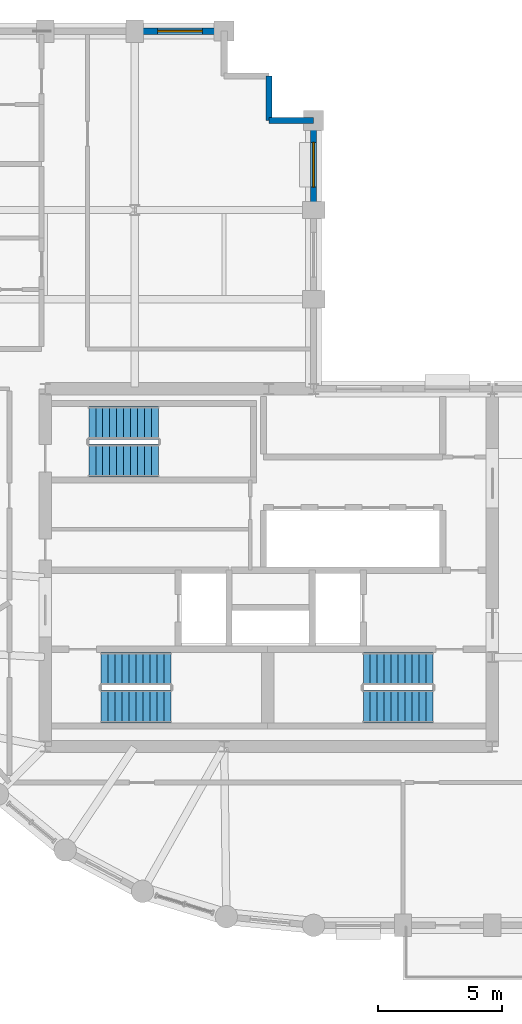
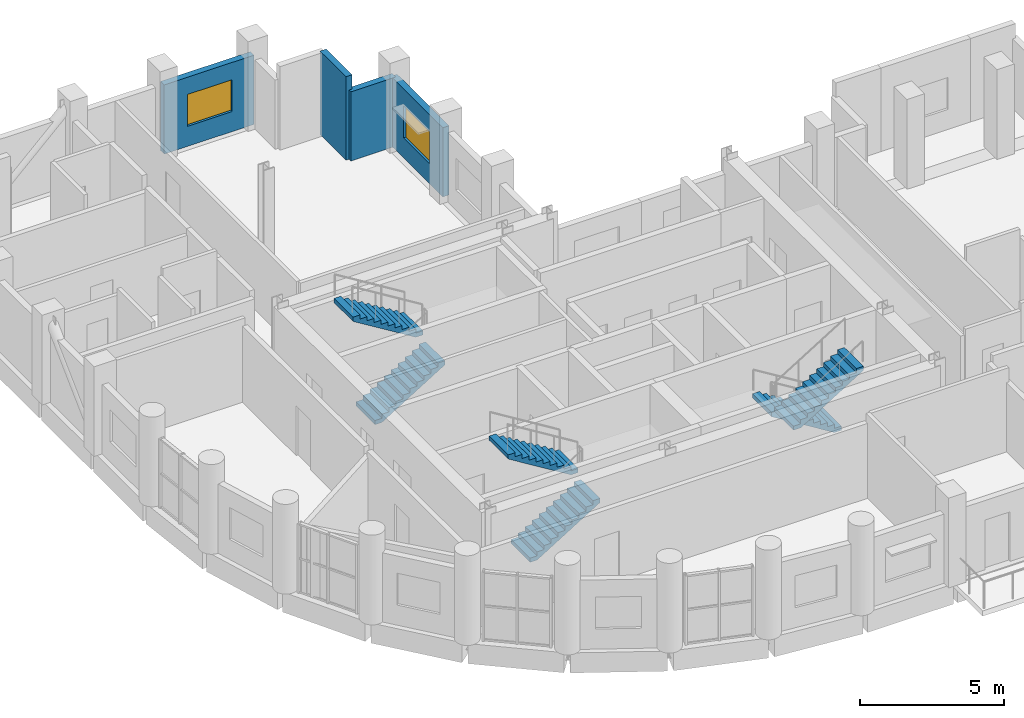
# One storey, part 10 of 12: 6 stair flights, 4 walls, 2 windows, 2 openings, 3 elements without a shape of their own.
"""IFC4 building model written with IfcOpenShell, lengths in metres."""

from ifc_helpers import new_model, si_unit, direction, frame, frame_2d, origin, place, context, subcontext, project, spatial, polyline, rectangle, outline, extrude, material, layer, layer_set, type_object, element, fill, aggregate, save


model = new_model("IFC4")

# Units and contexts
model_context = context("Model", 3, precision=1e-05, world=origin(), true_north=direction((0.0, 1.0)))
body_context = subcontext(model_context, "Body", "Model", "MODEL_VIEW")
ifc_project = project(units=[si_unit("LENGTHUNIT", "METRE"), si_unit("AREAUNIT", "SQUARE_METRE"), si_unit("VOLUMEUNIT", "CUBIC_METRE"), si_unit("PLANEANGLEUNIT", "RADIAN"), si_unit("MASSUNIT", "GRAM", prefix="KILO")], contexts=[model_context])

# Site, building, storey
site_placement = place(None, origin())
site = spatial("IfcSite", under=ifc_project, at=site_placement, CompositionType="ELEMENT")
building_placement = place(site_placement, origin())
building = spatial("IfcBuilding", under=site, at=building_placement, Name="Solnavia Interchange Tower", CompositionType="ELEMENT")
storey_placement = place(building_placement, frame((0.0, 0.0, 182.39990234375)))
storey = spatial("IfcBuildingStorey", under=building, at=storey_placement, Name="L45", CompositionType="ELEMENT", Elevation=182.39990234375)

# Wall, opening, window
ifc_material_1 = material(Name="Concrete C40/50", Category="concrete")
ifc_layer = layer(ifc_material_1, 0.25)
ifc_layer_set = layer_set([ifc_layer], Name="Concrete C40/50")
wall_type = type_object("IfcWallType", Name="Wall-ExtSpandrel-250", PredefinedType="STANDARD", material=ifc_layer_set)
wall_1_placement = place(storey_placement, frame((25.199951171875, 32.39990234375, 0.0), z_axis=(0.0, 0.0, 1.0), x_axis=(0.0, 1.0, 0.0)))
wall_1 = element("IfcWall", 1, at=wall_1_placement, inside=storey, type_object=wall_type, Name="EXW-L45-31 Exterior precast spandrel wall", PredefinedType="STANDARD", context=body_context, shape_type="SweptSolid", body=[
    extrude(rectangle(XDim=3.60009765625, YDim=0.25, at=frame_2d((1.800048828125, 0.0))), origin(), (0.0, 0.0, 1.0), 2.93017578125),
])
opening_1_placement = place(wall_1_placement, frame((0.925048828125, 0.0, 0.85009765625)))
opening_1 = element("IfcOpeningElement", 2, at=opening_1_placement, cuts=wall_1, Name="Opening WIN-02", PredefinedType="OPENING", context=body_context, shape_type="SweptSolid", body=[
    extrude(rectangle(XDim=1.800048828125, YDim=1.35009765625, at=frame_2d((0.89990234375, 0.675048828125))), frame((0.0, 0.135009765625, 0.0), z_axis=(0.0, -1.0, 0.0), x_axis=(1.0, 0.0, 0.0)), (0.0, 0.0, 1.0), 0.27001953125),
])
ifc_material_2 = material(Name="Thermal-Break Aluminium & Low-E Glass", Category="aluminium")
window_type = type_object("IfcWindowType", Name="Window-Ribbon-1800x1350", PartitioningType="SINGLE_PANEL", PredefinedType="WINDOW", material=ifc_material_2)
window_1_placement = place(opening_1_placement, origin())
window_1 = element("IfcWindow", 3, at=window_1_placement, inside=storey, type_object=window_type, Name="WIN-L45-31 Facade ribbon window", OverallHeight=1.35009765625, OverallWidth=1.800048828125, PartitioningType="SINGLE_PANEL", PredefinedType="WINDOW", context=body_context, shape_type="SweptSolid", body=[
    extrude(rectangle(XDim=1.800048828125, YDim=1.35009765625, at=frame_2d((0.89990234375, 0.675048828125))), frame((0.0, 0.030029296875, 0.0), z_axis=(0.0, -1.0, 0.0), x_axis=(1.0, 0.0, 0.0)), (0.0, 0.0, 1.0), 0.06005859375),
])
fill(opening_1, window_1)

# Walls
wall_2_placement = place(storey_placement, frame((23.39990234375, 36.0, 0.0), z_axis=(0.0, 0.0, 1.0), x_axis=(1.0, 0.0, 0.0)))
element("IfcWall", 4, at=wall_2_placement, inside=storey, type_object=wall_type, Name="EXW-L45-32 Exterior precast spandrel wall", PredefinedType="STANDARD", context=body_context, shape_type="SweptSolid", body=[
    extrude(rectangle(XDim=1.800048828125, YDim=0.25, at=frame_2d((0.89990234375, 0.0))), origin(), (0.0, 0.0, 1.0), 2.93017578125),
])
wall_3_placement = place(storey_placement, frame((23.39990234375, 36.0, 0.0), z_axis=(0.0, 0.0, 1.0), x_axis=(0.0, 1.0, 0.0)))
element("IfcWall", 5, at=wall_3_placement, inside=storey, type_object=wall_type, Name="EXW-L45-33 Exterior precast spandrel wall", PredefinedType="STANDARD", context=body_context, shape_type="SweptSolid", body=[
    extrude(rectangle(XDim=1.800048828125, YDim=0.25, at=frame_2d((0.89990234375, 0.0))), origin(), (0.0, 0.0, 1.0), 3.53515625),
])

# Wall, opening, window
wall_4_placement = place(storey_placement, frame((18.0, 39.60009765625, 0.0), z_axis=(0.0, 0.0, 1.0), x_axis=(1.0, 0.0, 0.0)))
wall_4 = element("IfcWall", 6, at=wall_4_placement, inside=storey, type_object=wall_type, Name="EXW-L45-36 Exterior precast spandrel wall", PredefinedType="STANDARD", context=body_context, shape_type="SweptSolid", body=[
    extrude(rectangle(XDim=3.60009765625, YDim=0.25, at=frame_2d((1.800048828125, 0.0))), origin(), (0.0, 0.0, 1.0), 2.93017578125),
])
opening_2_placement = place(wall_4_placement, frame((0.925048828125, 0.0, 0.85009765625)))
opening_2 = element("IfcOpeningElement", 7, at=opening_2_placement, cuts=wall_4, Name="Opening WIN-02", PredefinedType="OPENING", context=body_context, shape_type="SweptSolid", body=[
    extrude(rectangle(XDim=1.800048828125, YDim=1.35009765625, at=frame_2d((0.89990234375, 0.675048828125))), frame((0.0, 0.135009765625, 0.0), z_axis=(0.0, -1.0, 0.0), x_axis=(1.0, 0.0, 0.0)), (0.0, 0.0, 1.0), 0.27001953125),
])
window_2_placement = place(opening_2_placement, origin())
window_2 = element("IfcWindow", 8, at=window_2_placement, inside=storey, type_object=window_type, Name="WIN-L45-36 Facade ribbon window", OverallHeight=1.35009765625, OverallWidth=1.800048828125, PartitioningType="SINGLE_PANEL", PredefinedType="WINDOW", context=body_context, shape_type="SweptSolid", body=[
    extrude(rectangle(XDim=1.800048828125, YDim=1.35009765625, at=frame_2d((0.89990234375, 0.675048828125))), frame((0.0, 0.030029296875, 0.0), z_axis=(0.0, -1.0, 0.0), x_axis=(1.0, 0.0, 0.0)), (0.0, 0.0, 1.0), 0.06005859375),
])
fill(opening_2, window_2)

# Stair, stair flights
stair_type = type_object("IfcStairType", Name="Stair-Dogleg-RC", PredefinedType="HALF_TURN_STAIR", material=ifc_material_1)
stair_1_placement = place(storey_placement, origin())
stair_1 = element("IfcStair", 9, at=stair_1_placement, inside=storey, type_object=stair_type, Name="L45 Core exit stair 1", PredefinedType="HALF_TURN_STAIR")
stair_flight_type = type_object("IfcStairFlightType", Name="StairFlight-RC-150", PredefinedType="STRAIGHT", material=ifc_material_1)
stair_flight_1_placement = place(storey_placement, frame((16.64990234375, 12.409912109375, 0.0), z_axis=(0.0, 0.0, 1.0), x_axis=(1.0, 0.0, 0.0)))
stair_flight_1 = element("IfcStairFlight", 10, at=stair_flight_1_placement, type_object=stair_flight_type, Name="ST-1 flight 1", NumberOfRisers=11, NumberOfTreads=10, PredefinedType="STRAIGHT", RiserHeight=0.172727273, TreadLength=0.28, context=body_context, shape_type="SweptSolid", body=[
    extrude(outline(polyline([(0.0, 0.0), (0.0, 0.172607421875), (0.280029296875, 0.172607421875), (0.280029296875, 0.345458984375), (0.56005859375, 0.345458984375), (0.56005859375, 0.51806640625), (0.840087890625, 0.51806640625), (0.840087890625, 0.69091796875), (1.1201171875, 0.69091796875), (1.1201171875, 0.863525390625), (1.39990234375, 0.863525390625), (1.39990234375, 1.036376953125), (1.679931640625, 1.036376953125), (1.679931640625, 1.208984375), (1.9599609375, 1.208984375), (1.9599609375, 1.3818359375), (2.239990234375, 1.3818359375), (2.239990234375, 1.554443359375), (2.52001953125, 1.554443359375), (2.52001953125, 1.727294921875), (2.800048828125, 1.727294921875), (2.800048828125, 1.89990234375), (2.800048828125, 1.551025390625), (0.285400390625, 0.0), (0.0, 0.0)])), frame((0.0, 0.66015625, 0.0), z_axis=(0.0, -1.0, 0.0), x_axis=(1.0, 0.0, 0.0)), (0.0, 0.0, 1.0), 1.320068359375),
])
stair_flight_2_placement = place(storey_placement, frame((19.449951171875, 13.929931640625, 1.900146484375), z_axis=(0.0, 0.0, 1.0), x_axis=(-1.0, 0.0, 0.0)))
stair_flight_2 = element("IfcStairFlight", 11, at=stair_flight_2_placement, type_object=stair_flight_type, Name="ST-1 flight 2", NumberOfRisers=11, NumberOfTreads=10, PredefinedType="STRAIGHT", RiserHeight=0.172727273, TreadLength=0.28, context=body_context, shape_type="SweptSolid", body=[
    extrude(outline(polyline([(0.0, 0.0), (0.0, 0.172607421875), (0.280029296875, 0.172607421875), (0.280029296875, 0.345458984375), (0.56005859375, 0.345458984375), (0.56005859375, 0.51806640625), (0.840087890625, 0.51806640625), (0.840087890625, 0.69091796875), (1.1201171875, 0.69091796875), (1.1201171875, 0.863525390625), (1.39990234375, 0.863525390625), (1.39990234375, 1.036376953125), (1.679931640625, 1.036376953125), (1.679931640625, 1.208984375), (1.9599609375, 1.208984375), (1.9599609375, 1.3818359375), (2.239990234375, 1.3818359375), (2.239990234375, 1.554443359375), (2.52001953125, 1.554443359375), (2.52001953125, 1.727294921875), (2.800048828125, 1.727294921875), (2.800048828125, 1.89990234375), (2.800048828125, 1.551025390625), (0.285400390625, 0.0), (0.0, 0.0)])), frame((0.0, 0.66015625, 0.0), z_axis=(0.0, -1.0, 0.0), x_axis=(1.0, 0.0, 0.0)), (0.0, 0.0, 1.0), 1.320068359375),
])
aggregate(stair_1, [stair_flight_1, stair_flight_2])

stair_2_placement = place(storey_placement, origin())
stair_2 = element("IfcStair", 12, at=stair_2_placement, inside=storey, type_object=stair_type, Name="L45 Core exit stair 2", PredefinedType="HALF_TURN_STAIR")
stair_flight_3_placement = place(storey_placement, frame((30.0, 13.929931640625, 0.0), z_axis=(0.0, 0.0, 1.0), x_axis=(-1.0, 0.0, 0.0)))
stair_flight_3 = element("IfcStairFlight", 13, at=stair_flight_3_placement, type_object=stair_flight_type, Name="ST-2 flight 1", NumberOfRisers=11, NumberOfTreads=10, PredefinedType="STRAIGHT", RiserHeight=0.172727273, TreadLength=0.28, context=body_context, shape_type="SweptSolid", body=[
    extrude(outline(polyline([(0.0, 0.0), (0.0, 0.172607421875), (0.280029296875, 0.172607421875), (0.280029296875, 0.345458984375), (0.56005859375, 0.345458984375), (0.56005859375, 0.51806640625), (0.840087890625, 0.51806640625), (0.840087890625, 0.69091796875), (1.1201171875, 0.69091796875), (1.1201171875, 0.863525390625), (1.39990234375, 0.863525390625), (1.39990234375, 1.036376953125), (1.679931640625, 1.036376953125), (1.679931640625, 1.208984375), (1.9599609375, 1.208984375), (1.9599609375, 1.3818359375), (2.239990234375, 1.3818359375), (2.239990234375, 1.554443359375), (2.52001953125, 1.554443359375), (2.52001953125, 1.727294921875), (2.800048828125, 1.727294921875), (2.800048828125, 1.89990234375), (2.800048828125, 1.551025390625), (0.285400390625, 0.0), (0.0, 0.0)])), frame((0.0, 0.66015625, 0.0), z_axis=(0.0, -1.0, 0.0), x_axis=(1.0, 0.0, 0.0)), (0.0, 0.0, 1.0), 1.320068359375),
])
stair_flight_4_placement = place(storey_placement, frame((27.199951171875, 12.409912109375, 1.900146484375), z_axis=(0.0, 0.0, 1.0), x_axis=(1.0, 0.0, 0.0)))
stair_flight_4 = element("IfcStairFlight", 14, at=stair_flight_4_placement, type_object=stair_flight_type, Name="ST-2 flight 2", NumberOfRisers=11, NumberOfTreads=10, PredefinedType="STRAIGHT", RiserHeight=0.172727273, TreadLength=0.28, context=body_context, shape_type="SweptSolid", body=[
    extrude(outline(polyline([(0.0, 0.0), (0.0, 0.172607421875), (0.280029296875, 0.172607421875), (0.280029296875, 0.345458984375), (0.56005859375, 0.345458984375), (0.56005859375, 0.51806640625), (0.840087890625, 0.51806640625), (0.840087890625, 0.69091796875), (1.1201171875, 0.69091796875), (1.1201171875, 0.863525390625), (1.39990234375, 0.863525390625), (1.39990234375, 1.036376953125), (1.679931640625, 1.036376953125), (1.679931640625, 1.208984375), (1.9599609375, 1.208984375), (1.9599609375, 1.3818359375), (2.239990234375, 1.3818359375), (2.239990234375, 1.554443359375), (2.52001953125, 1.554443359375), (2.52001953125, 1.727294921875), (2.800048828125, 1.727294921875), (2.800048828125, 1.89990234375), (2.800048828125, 1.551025390625), (0.285400390625, 0.0), (0.0, 0.0)])), frame((0.0, 0.66015625, 0.0), z_axis=(0.0, -1.0, 0.0), x_axis=(1.0, 0.0, 0.0)), (0.0, 0.0, 1.0), 1.320068359375),
])
aggregate(stair_2, [stair_flight_3, stair_flight_4])

stair_3_placement = place(storey_placement, origin())
stair_3 = element("IfcStair", 15, at=stair_3_placement, inside=storey, type_object=stair_type, Name="L45 Core exit stair 3", PredefinedType="HALF_TURN_STAIR")
stair_flight_5_placement = place(storey_placement, frame((16.14990234375, 22.31005859375, 0.0), z_axis=(0.0, 0.0, 1.0), x_axis=(1.0, 0.0, 0.0)))
stair_flight_5 = element("IfcStairFlight", 16, at=stair_flight_5_placement, type_object=stair_flight_type, Name="ST-3 flight 1", NumberOfRisers=11, NumberOfTreads=10, PredefinedType="STRAIGHT", RiserHeight=0.172727273, TreadLength=0.28, context=body_context, shape_type="SweptSolid", body=[
    extrude(outline(polyline([(0.0, 0.0), (0.0, 0.172607421875), (0.280029296875, 0.172607421875), (0.280029296875, 0.345458984375), (0.56005859375, 0.345458984375), (0.56005859375, 0.51806640625), (0.840087890625, 0.51806640625), (0.840087890625, 0.69091796875), (1.1201171875, 0.69091796875), (1.1201171875, 0.863525390625), (1.39990234375, 0.863525390625), (1.39990234375, 1.036376953125), (1.679931640625, 1.036376953125), (1.679931640625, 1.208984375), (1.9599609375, 1.208984375), (1.9599609375, 1.3818359375), (2.239990234375, 1.3818359375), (2.239990234375, 1.554443359375), (2.52001953125, 1.554443359375), (2.52001953125, 1.727294921875), (2.800048828125, 1.727294921875), (2.800048828125, 1.89990234375), (2.800048828125, 1.551025390625), (0.285400390625, 0.0), (0.0, 0.0)])), frame((0.0, 0.66015625, 0.0), z_axis=(0.0, -1.0, 0.0), x_axis=(1.0, 0.0, 0.0)), (0.0, 0.0, 1.0), 1.320068359375),
])
stair_flight_6_placement = place(storey_placement, frame((18.949951171875, 23.830078125, 1.900146484375), z_axis=(0.0, 0.0, 1.0), x_axis=(-1.0, 0.0, 0.0)))
stair_flight_6 = element("IfcStairFlight", 17, at=stair_flight_6_placement, type_object=stair_flight_type, Name="ST-3 flight 2", NumberOfRisers=11, NumberOfTreads=10, PredefinedType="STRAIGHT", RiserHeight=0.172727273, TreadLength=0.28, context=body_context, shape_type="SweptSolid", body=[
    extrude(outline(polyline([(0.0, 0.0), (0.0, 0.172607421875), (0.280029296875, 0.172607421875), (0.280029296875, 0.345458984375), (0.56005859375, 0.345458984375), (0.56005859375, 0.51806640625), (0.840087890625, 0.51806640625), (0.840087890625, 0.69091796875), (1.1201171875, 0.69091796875), (1.1201171875, 0.863525390625), (1.39990234375, 0.863525390625), (1.39990234375, 1.036376953125), (1.679931640625, 1.036376953125), (1.679931640625, 1.208984375), (1.9599609375, 1.208984375), (1.9599609375, 1.3818359375), (2.239990234375, 1.3818359375), (2.239990234375, 1.554443359375), (2.52001953125, 1.554443359375), (2.52001953125, 1.727294921875), (2.800048828125, 1.727294921875), (2.800048828125, 1.89990234375), (2.800048828125, 1.551025390625), (0.285400390625, 0.0), (0.0, 0.0)])), frame((0.0, 0.66015625, 0.0), z_axis=(0.0, -1.0, 0.0), x_axis=(1.0, 0.0, 0.0)), (0.0, 0.0, 1.0), 1.320068359375),
])
aggregate(stair_3, [stair_flight_5, stair_flight_6])

save(model, "model.ifc")
